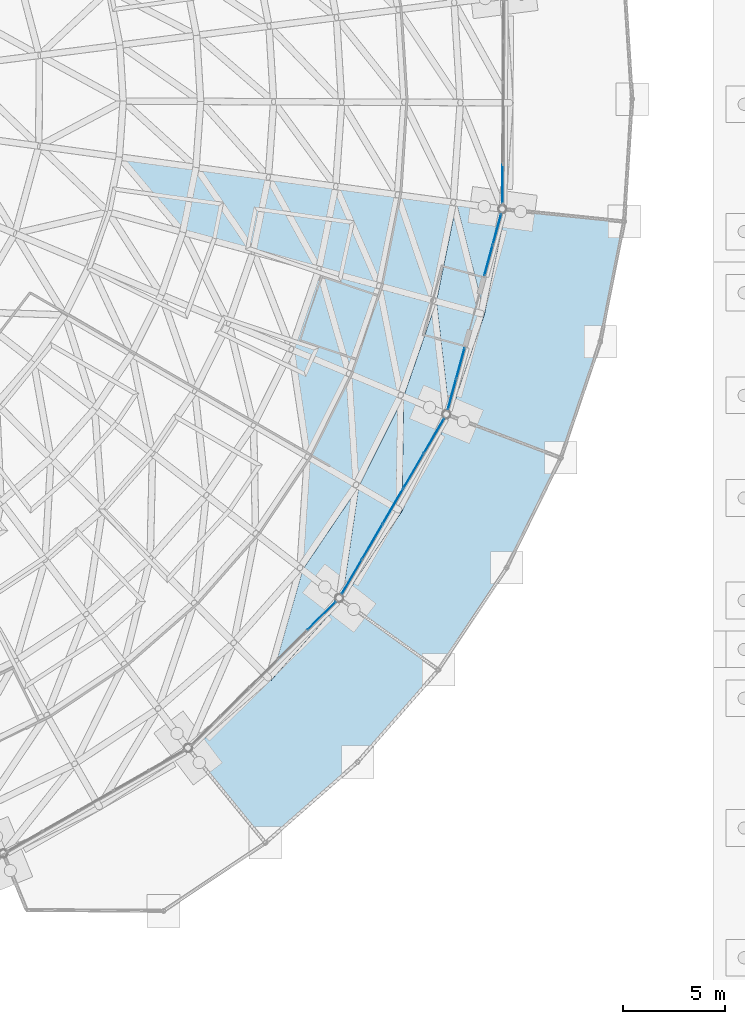
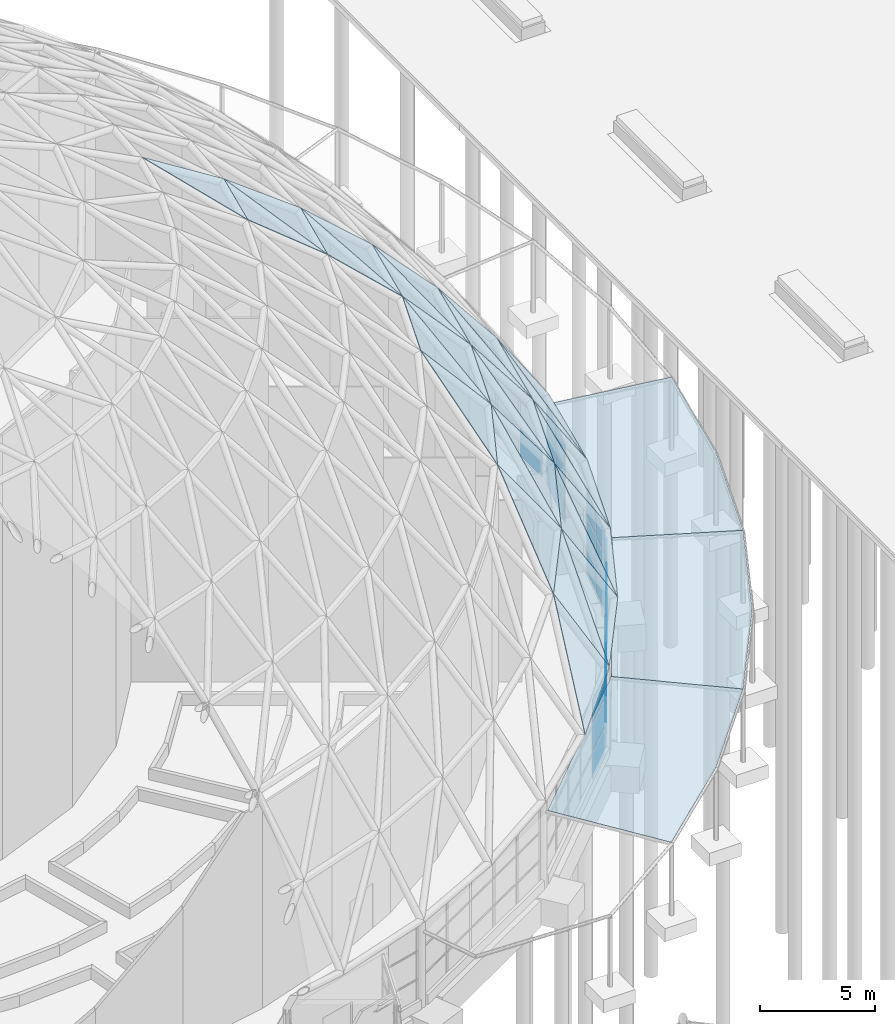
# One storey, part 149 of 226: 60 plates, 5 elements without a shape of their own.
"""IFC4 building model written with IfcOpenShell, lengths in metres."""

from ifc_helpers import new_model, si_unit, direction, frame, origin, origin_2d, place, context, subcontext, project, spatial, polyline, rectangle, outline, extrude, material, layer, layer_set, type_object, element, aggregate, save


model = new_model("IFC4")

# Units and contexts
model_context = context("Model", 3, precision=1e-05, world=origin(), true_north=direction((0.0, 1.0)))
body_context = subcontext(model_context, "Body", "Model", "MODEL_VIEW")
ifc_project = project(units=[si_unit("LENGTHUNIT", "METRE"), si_unit("AREAUNIT", "SQUARE_METRE"), si_unit("VOLUMEUNIT", "CUBIC_METRE"), si_unit("PLANEANGLEUNIT", "RADIAN"), si_unit("MASSUNIT", "GRAM", prefix="KILO")], contexts=[model_context])

# Site, building, storey
site_placement = place(None, origin())
site = spatial("IfcSite", under=ifc_project, at=site_placement, CompositionType="ELEMENT")
building_placement = place(site_placement, origin())
building = spatial("IfcBuilding", under=site, at=building_placement, Name="Ceibo Conservatory and Research Tower", CompositionType="ELEMENT")
storey_placement = place(building_placement, origin())
storey = spatial("IfcBuildingStorey", under=building, at=storey_placement, Name="L00", CompositionType="ELEMENT", Elevation=0.0)

# Plates
ifc_material_1 = material(Name="Laminated glass", Category="glass")
ifc_layer_1 = layer(ifc_material_1, 0.02490234375)
ifc_layer_set_1 = layer_set([ifc_layer_1], Name="Laminated glass")
plate_type_1 = type_object("IfcPlateType", Name="Canopy glass 25", PredefinedType="SHEET", material=ifc_layer_set_1)
plate_1_placement = place(storey_placement, frame((180.363037109375, 75.9609375, 4.07275390625), z_axis=(-0.032271892088, 0.032399473251, -0.998953852345), x_axis=(0.710186803858, 0.70401327518, -0.000109527201)))
element("IfcPlate", 1, at=plate_1_placement, inside=storey, type_object=plate_type_1, Name="Brim canopy plate A-CP21", PredefinedType="SHEET", context=body_context, shape_type="SweptSolid", body=[
    extrude(outline(polyline([(0.0, 0.0), (10.507265108545, -8.881784197001252e-16), (11.456869378744157, 5.68002471924514), (5.454453826027041, 6.100185760390339), (-0.5514018001971586, 5.73245075922043), (0.0, 0.0)])), origin(), (0.0, 0.0, 1.0), 0.02490234375),
])
plate_2_placement = place(storey_placement, frame((187.8251953125, 83.358154296875, 4.07275390625), z_axis=(-0.039557289072, 0.022943225657, -0.998953867442), x_axis=(0.503777138761, 0.863833654457, -0.000109041513)))
element("IfcPlate", 2, at=plate_2_placement, inside=storey, type_object=plate_type_1, Name="Brim canopy plate A-CP22", PredefinedType="SHEET", context=body_context, shape_type="SweptSolid", body=[
    extrude(outline(polyline([(0.0, 0.0), (10.507447150390865, 0.0), (11.456959538373571, 5.680215491744989), (5.454555663149371, 6.100204084039771), (-0.551281012387795, 5.73240976388129), (0.0, 0.0)])), origin(), (0.0, 0.0, 1.0), 0.02490234375),
])
plate_3_placement = place(storey_placement, frame((193.11865234375, 92.434814453125, 4.07275390625), z_axis=(-0.044147259202, 0.011921968833, -0.998953895915), x_axis=(0.263016237411, 0.964791400719, -0.000109347386)))
element("IfcPlate", 3, at=plate_3_placement, inside=storey, type_object=plate_type_1, Name="Brim canopy plate A-CP23", PredefinedType="SHEET", context=body_context, shape_type="SweptSolid", body=[
    extrude(outline(polyline([(0.0, 0.0), (10.507416293834746, 0.0), (11.45686048954623, 5.6802171305592255), (5.454302588318131, 6.100287569953914), (-0.551538177885894, 5.732558834785007), (0.0, 0.0)])), origin(), (0.0, 0.0, 1.0), 0.02490234375),
])

# Curtain wall, plates
ifc_material_2 = material(Name="Aluminium and glass", Category="aluminium")
curtain_wall_type = type_object("IfcCurtainWallType", Name="Drum curtain wall", PredefinedType="NOTDEFINED", material=ifc_material_2)
curtain_wall_1_placement = place(storey_placement, origin())
curtain_wall_1 = element("IfcCurtainWall", 4, at=curtain_wall_1_placement, inside=storey, type_object=curtain_wall_type, Name="Drum curtain wall A-CW21", PredefinedType="NOTDEFINED")
ifc_layer_2 = layer(ifc_material_1, 0.028076171875)
ifc_layer_set_2 = layer_set([ifc_layer_2], Name="Laminated glass")
plate_type_2 = type_object("IfcPlateType", Name="Drum glass 28", PredefinedType="CURTAIN_PANEL", material=ifc_layer_set_2)
plate_4_placement = place(storey_placement, frame((186.760009765625, 82.651123046875, 0.06005859375), z_axis=(0.0, 0.0, 1.0), x_axis=(0.71018535052, 0.704014749779, 0.0)))
plate_4 = element("IfcPlate", 5, at=plate_4_placement, type_object=plate_type_2, Name="A-CW21 panel 5.1", PredefinedType="CURTAIN_PANEL", context=body_context, shape_type="SweptSolid", body=[
    extrude(rectangle(XDim=1.917236328125, YDim=0.028076171875, at=origin_2d()), origin(), (0.0, 0.0, 1.0), 1.43994140625),
])
plate_5_placement = place(storey_placement, frame((186.760009765625, 82.651123046875, 1.56005859375), z_axis=(0.0, 0.0, 1.0), x_axis=(0.71018535052, 0.704014749779, 0.0)))
plate_5 = element("IfcPlate", 6, at=plate_5_placement, type_object=plate_type_2, Name="A-CW21 panel 5.2", PredefinedType="CURTAIN_PANEL", context=body_context, shape_type="SweptSolid", body=[
    extrude(rectangle(XDim=1.917236328125, YDim=0.028076171875, at=origin_2d()), origin(), (0.0, 0.0, 1.0), 1.425048828125),
])
plate_6_placement = place(storey_placement, frame((186.760009765625, 82.651123046875, 3.044921875), z_axis=(0.0, 0.0, 1.0), x_axis=(0.71018535052, 0.704014749779, 0.0)))
plate_6 = element("IfcPlate", 7, at=plate_6_placement, type_object=plate_type_2, Name="A-CW21 panel 5.3", PredefinedType="CURTAIN_PANEL", context=body_context, shape_type="SweptSolid", body=[
    extrude(rectangle(XDim=1.917236328125, YDim=0.028076171875, at=origin_2d()), origin(), (0.0, 0.0, 1.0), 1.233154296875),
])
aggregate(curtain_wall_1, [plate_4, plate_5, plate_6])

curtain_wall_2_placement = place(storey_placement, origin())
curtain_wall_2 = element("IfcCurtainWall", 8, at=curtain_wall_2_placement, inside=storey, type_object=curtain_wall_type, Name="Drum curtain wall A-CW22", PredefinedType="NOTDEFINED")
plate_7_placement = place(storey_placement, frame((188.2431640625, 84.566650390625, 0.06005859375), z_axis=(0.0, 0.0, 1.0), x_axis=(0.503773971965, 0.863835508167, 0.0)))
plate_7 = element("IfcPlate", 9, at=plate_7_placement, type_object=plate_type_2, Name="A-CW22 panel 1.1", PredefinedType="CURTAIN_PANEL", context=body_context, shape_type="SweptSolid", body=[
    extrude(rectangle(XDim=1.917236328125, YDim=0.028076171875, at=origin_2d()), origin(), (0.0, 0.0, 1.0), 1.43994140625),
])
plate_8_placement = place(storey_placement, frame((188.2431640625, 84.566650390625, 1.56005859375), z_axis=(0.0, 0.0, 1.0), x_axis=(0.503773971965, 0.863835508167, 0.0)))
plate_8 = element("IfcPlate", 10, at=plate_8_placement, type_object=plate_type_2, Name="A-CW22 panel 1.2", PredefinedType="CURTAIN_PANEL", context=body_context, shape_type="SweptSolid", body=[
    extrude(rectangle(XDim=1.917236328125, YDim=0.028076171875, at=origin_2d()), origin(), (0.0, 0.0, 1.0), 1.425048828125),
])
plate_9_placement = place(storey_placement, frame((188.2431640625, 84.566650390625, 3.044921875), z_axis=(0.0, 0.0, 1.0), x_axis=(0.503773971965, 0.863835508167, 0.0)))
plate_9 = element("IfcPlate", 11, at=plate_9_placement, type_object=plate_type_2, Name="A-CW22 panel 1.3", PredefinedType="CURTAIN_PANEL", context=body_context, shape_type="SweptSolid", body=[
    extrude(rectangle(XDim=1.917236328125, YDim=0.028076171875, at=origin_2d()), origin(), (0.0, 0.0, 1.0), 1.233154296875),
])
plate_10_placement = place(storey_placement, frame((189.24658203125, 86.28759765625, 0.06005859375), z_axis=(0.0, 0.0, 1.0), x_axis=(0.503773971965, 0.863835508167, 0.0)))
plate_10 = element("IfcPlate", 12, at=plate_10_placement, type_object=plate_type_2, Name="A-CW22 panel 2.1", PredefinedType="CURTAIN_PANEL", context=body_context, shape_type="SweptSolid", body=[
    extrude(rectangle(XDim=1.947021484375, YDim=0.028076171875, at=origin_2d()), origin(), (0.0, 0.0, 1.0), 1.43994140625),
])
plate_11_placement = place(storey_placement, frame((189.24658203125, 86.28759765625, 1.56005859375), z_axis=(0.0, 0.0, 1.0), x_axis=(0.503773971965, 0.863835508167, 0.0)))
plate_11 = element("IfcPlate", 13, at=plate_11_placement, type_object=plate_type_2, Name="A-CW22 panel 2.2", PredefinedType="CURTAIN_PANEL", context=body_context, shape_type="SweptSolid", body=[
    extrude(rectangle(XDim=1.947021484375, YDim=0.028076171875, at=origin_2d()), origin(), (0.0, 0.0, 1.0), 1.425048828125),
])
plate_12_placement = place(storey_placement, frame((189.24658203125, 86.28759765625, 3.044921875), z_axis=(0.0, 0.0, 1.0), x_axis=(0.503773971965, 0.863835508167, 0.0)))
plate_12 = element("IfcPlate", 14, at=plate_12_placement, type_object=plate_type_2, Name="A-CW22 panel 2.3", PredefinedType="CURTAIN_PANEL", context=body_context, shape_type="SweptSolid", body=[
    extrude(rectangle(XDim=1.947021484375, YDim=0.028076171875, at=origin_2d()), origin(), (0.0, 0.0, 1.0), 1.233154296875),
])
plate_13_placement = place(storey_placement, frame((190.2578125, 88.021484375, 0.06005859375), z_axis=(0.0, 0.0, 1.0), x_axis=(0.503773971965, 0.863835508167, 0.0)))
plate_13 = element("IfcPlate", 15, at=plate_13_placement, type_object=plate_type_2, Name="A-CW22 panel 3.1", PredefinedType="CURTAIN_PANEL", context=body_context, shape_type="SweptSolid", body=[
    extrude(rectangle(XDim=1.947021484375, YDim=0.028076171875, at=origin_2d()), origin(), (0.0, 0.0, 1.0), 1.43994140625),
])
plate_14_placement = place(storey_placement, frame((190.2578125, 88.021484375, 1.56005859375), z_axis=(0.0, 0.0, 1.0), x_axis=(0.503773971965, 0.863835508167, 0.0)))
plate_14 = element("IfcPlate", 16, at=plate_14_placement, type_object=plate_type_2, Name="A-CW22 panel 3.2", PredefinedType="CURTAIN_PANEL", context=body_context, shape_type="SweptSolid", body=[
    extrude(rectangle(XDim=1.947021484375, YDim=0.028076171875, at=origin_2d()), origin(), (0.0, 0.0, 1.0), 1.425048828125),
])
plate_15_placement = place(storey_placement, frame((190.2578125, 88.021484375, 3.044921875), z_axis=(0.0, 0.0, 1.0), x_axis=(0.503773971965, 0.863835508167, 0.0)))
plate_15 = element("IfcPlate", 17, at=plate_15_placement, type_object=plate_type_2, Name="A-CW22 panel 3.3", PredefinedType="CURTAIN_PANEL", context=body_context, shape_type="SweptSolid", body=[
    extrude(rectangle(XDim=1.947021484375, YDim=0.028076171875, at=origin_2d()), origin(), (0.0, 0.0, 1.0), 1.233154296875),
])
plate_16_placement = place(storey_placement, frame((191.26904296875, 89.75537109375, 0.06005859375), z_axis=(0.0, 0.0, 1.0), x_axis=(0.503773971965, 0.863835508167, 0.0)))
plate_16 = element("IfcPlate", 18, at=plate_16_placement, type_object=plate_type_2, Name="A-CW22 panel 4.1", PredefinedType="CURTAIN_PANEL", context=body_context, shape_type="SweptSolid", body=[
    extrude(rectangle(XDim=1.947021484375, YDim=0.028076171875, at=origin_2d()), origin(), (0.0, 0.0, 1.0), 1.43994140625),
])
plate_17_placement = place(storey_placement, frame((191.26904296875, 89.75537109375, 1.56005859375), z_axis=(0.0, 0.0, 1.0), x_axis=(0.503773971965, 0.863835508167, 0.0)))
plate_17 = element("IfcPlate", 19, at=plate_17_placement, type_object=plate_type_2, Name="A-CW22 panel 4.2", PredefinedType="CURTAIN_PANEL", context=body_context, shape_type="SweptSolid", body=[
    extrude(rectangle(XDim=1.947021484375, YDim=0.028076171875, at=origin_2d()), origin(), (0.0, 0.0, 1.0), 1.425048828125),
])
plate_18_placement = place(storey_placement, frame((191.26904296875, 89.75537109375, 3.044921875), z_axis=(0.0, 0.0, 1.0), x_axis=(0.503773971965, 0.863835508167, 0.0)))
plate_18 = element("IfcPlate", 20, at=plate_18_placement, type_object=plate_type_2, Name="A-CW22 panel 4.3", PredefinedType="CURTAIN_PANEL", context=body_context, shape_type="SweptSolid", body=[
    extrude(rectangle(XDim=1.947021484375, YDim=0.028076171875, at=origin_2d()), origin(), (0.0, 0.0, 1.0), 1.233154296875),
])
plate_19_placement = place(storey_placement, frame((192.2724609375, 91.47607421875, 0.06005859375), z_axis=(0.0, 0.0, 1.0), x_axis=(0.503773971965, 0.863835508167, 0.0)))
plate_19 = element("IfcPlate", 21, at=plate_19_placement, type_object=plate_type_2, Name="A-CW22 panel 5.1", PredefinedType="CURTAIN_PANEL", context=body_context, shape_type="SweptSolid", body=[
    extrude(rectangle(XDim=1.917236328125, YDim=0.028076171875, at=origin_2d()), origin(), (0.0, 0.0, 1.0), 1.43994140625),
])
plate_20_placement = place(storey_placement, frame((192.2724609375, 91.47607421875, 1.56005859375), z_axis=(0.0, 0.0, 1.0), x_axis=(0.503773971965, 0.863835508167, 0.0)))
plate_20 = element("IfcPlate", 22, at=plate_20_placement, type_object=plate_type_2, Name="A-CW22 panel 5.2", PredefinedType="CURTAIN_PANEL", context=body_context, shape_type="SweptSolid", body=[
    extrude(rectangle(XDim=1.917236328125, YDim=0.028076171875, at=origin_2d()), origin(), (0.0, 0.0, 1.0), 1.425048828125),
])
plate_21_placement = place(storey_placement, frame((192.2724609375, 91.47607421875, 3.044921875), z_axis=(0.0, 0.0, 1.0), x_axis=(0.503773971965, 0.863835508167, 0.0)))
plate_21 = element("IfcPlate", 23, at=plate_21_placement, type_object=plate_type_2, Name="A-CW22 panel 5.3", PredefinedType="CURTAIN_PANEL", context=body_context, shape_type="SweptSolid", body=[
    extrude(rectangle(XDim=1.917236328125, YDim=0.028076171875, at=origin_2d()), origin(), (0.0, 0.0, 1.0), 1.233154296875),
])
aggregate(curtain_wall_2, [plate_7, plate_8, plate_9, plate_10, plate_11, plate_12, plate_13, plate_14, plate_15, plate_16, plate_17, plate_18, plate_19, plate_20, plate_21])

curtain_wall_3_placement = place(storey_placement, origin())
curtain_wall_3 = element("IfcCurtainWall", 24, at=curtain_wall_3_placement, inside=storey, type_object=curtain_wall_type, Name="Drum curtain wall A-CW23W", PredefinedType="NOTDEFINED")
plate_22_placement = place(storey_placement, frame((193.156982421875, 93.518310546875, 0.06005859375), z_axis=(0.0, 0.0, 1.0), x_axis=(0.263031218095, 0.964787322837, 0.0)))
plate_22 = element("IfcPlate", 25, at=plate_22_placement, type_object=plate_type_2, Name="A-CW23W panel 1.1", PredefinedType="CURTAIN_PANEL", context=body_context, shape_type="SweptSolid", body=[
    extrude(rectangle(XDim=1.51904296875, YDim=0.028076171875, at=origin_2d()), origin(), (0.0, 0.0, 1.0), 1.43994140625),
])
plate_23_placement = place(storey_placement, frame((193.156982421875, 93.518310546875, 1.56005859375), z_axis=(0.0, 0.0, 1.0), x_axis=(0.263031218095, 0.964787322837, 0.0)))
plate_23 = element("IfcPlate", 26, at=plate_23_placement, type_object=plate_type_2, Name="A-CW23W panel 1.2", PredefinedType="CURTAIN_PANEL", context=body_context, shape_type="SweptSolid", body=[
    extrude(rectangle(XDim=1.51904296875, YDim=0.028076171875, at=origin_2d()), origin(), (0.0, 0.0, 1.0), 1.425048828125),
])
plate_24_placement = place(storey_placement, frame((193.156982421875, 93.518310546875, 3.044921875), z_axis=(0.0, 0.0, 1.0), x_axis=(0.263031218095, 0.964787322837, 0.0)))
plate_24 = element("IfcPlate", 27, at=plate_24_placement, type_object=plate_type_2, Name="A-CW23W panel 1.3", PredefinedType="CURTAIN_PANEL", context=body_context, shape_type="SweptSolid", body=[
    extrude(rectangle(XDim=1.51904296875, YDim=0.028076171875, at=origin_2d()), origin(), (0.0, 0.0, 1.0), 1.233154296875),
])
plate_25_placement = place(storey_placement, frame((193.572265625, 95.04150390625, 0.06005859375), z_axis=(0.0, 0.0, 1.0), x_axis=(0.263031218095, 0.964787322837, 0.0)))
plate_25 = element("IfcPlate", 28, at=plate_25_placement, type_object=plate_type_2, Name="A-CW23W panel 2.1", PredefinedType="CURTAIN_PANEL", context=body_context, shape_type="SweptSolid", body=[
    extrude(rectangle(XDim=1.51904296875, YDim=0.028076171875, at=origin_2d()), origin(), (0.0, 0.0, 1.0), 1.43994140625),
])
plate_26_placement = place(storey_placement, frame((193.572265625, 95.04150390625, 1.56005859375), z_axis=(0.0, 0.0, 1.0), x_axis=(0.263031218095, 0.964787322837, 0.0)))
plate_26 = element("IfcPlate", 29, at=plate_26_placement, type_object=plate_type_2, Name="A-CW23W panel 2.2", PredefinedType="CURTAIN_PANEL", context=body_context, shape_type="SweptSolid", body=[
    extrude(rectangle(XDim=1.51904296875, YDim=0.028076171875, at=origin_2d()), origin(), (0.0, 0.0, 1.0), 1.425048828125),
])
plate_27_placement = place(storey_placement, frame((193.572265625, 95.04150390625, 3.044921875), z_axis=(0.0, 0.0, 1.0), x_axis=(0.263031218095, 0.964787322837, 0.0)))
plate_27 = element("IfcPlate", 30, at=plate_27_placement, type_object=plate_type_2, Name="A-CW23W panel 2.3", PredefinedType="CURTAIN_PANEL", context=body_context, shape_type="SweptSolid", body=[
    extrude(rectangle(XDim=1.51904296875, YDim=0.028076171875, at=origin_2d()), origin(), (0.0, 0.0, 1.0), 1.233154296875),
])
aggregate(curtain_wall_3, [plate_22, plate_23, plate_24, plate_25, plate_26, plate_27])

curtain_wall_4_placement = place(storey_placement, origin())
curtain_wall_4 = element("IfcCurtainWall", 31, at=curtain_wall_4_placement, inside=storey, type_object=curtain_wall_type, Name="Drum curtain wall A-CW23E", PredefinedType="NOTDEFINED")
plate_28_placement = place(storey_placement, frame((194.950439453125, 100.095947265625, 0.06005859375), z_axis=(0.0, 0.0, 1.0), x_axis=(0.263031218095, 0.964787322837, 0.0)))
plate_28 = element("IfcPlate", 32, at=plate_28_placement, type_object=plate_type_2, Name="A-CW23E panel 1.1", PredefinedType="CURTAIN_PANEL", context=body_context, shape_type="SweptSolid", body=[
    extrude(rectangle(XDim=1.51904296875, YDim=0.028076171875, at=origin_2d()), origin(), (0.0, 0.0, 1.0), 1.43994140625),
])
plate_29_placement = place(storey_placement, frame((194.950439453125, 100.095947265625, 1.56005859375), z_axis=(0.0, 0.0, 1.0), x_axis=(0.263031218095, 0.964787322837, 0.0)))
plate_29 = element("IfcPlate", 33, at=plate_29_placement, type_object=plate_type_2, Name="A-CW23E panel 1.2", PredefinedType="CURTAIN_PANEL", context=body_context, shape_type="SweptSolid", body=[
    extrude(rectangle(XDim=1.51904296875, YDim=0.028076171875, at=origin_2d()), origin(), (0.0, 0.0, 1.0), 1.425048828125),
])
plate_30_placement = place(storey_placement, frame((194.950439453125, 100.095947265625, 3.044921875), z_axis=(0.0, 0.0, 1.0), x_axis=(0.263031218095, 0.964787322837, 0.0)))
plate_30 = element("IfcPlate", 34, at=plate_30_placement, type_object=plate_type_2, Name="A-CW23E panel 1.3", PredefinedType="CURTAIN_PANEL", context=body_context, shape_type="SweptSolid", body=[
    extrude(rectangle(XDim=1.51904296875, YDim=0.028076171875, at=origin_2d()), origin(), (0.0, 0.0, 1.0), 1.233154296875),
])
plate_31_placement = place(storey_placement, frame((195.36572265625, 101.619384765625, 0.06005859375), z_axis=(0.0, 0.0, 1.0), x_axis=(0.263031218095, 0.964787322837, 0.0)))
plate_31 = element("IfcPlate", 35, at=plate_31_placement, type_object=plate_type_2, Name="A-CW23E panel 2.1", PredefinedType="CURTAIN_PANEL", context=body_context, shape_type="SweptSolid", body=[
    extrude(rectangle(XDim=1.51904296875, YDim=0.028076171875, at=origin_2d()), origin(), (0.0, 0.0, 1.0), 1.43994140625),
])
plate_32_placement = place(storey_placement, frame((195.36572265625, 101.619384765625, 1.56005859375), z_axis=(0.0, 0.0, 1.0), x_axis=(0.263031218095, 0.964787322837, 0.0)))
plate_32 = element("IfcPlate", 36, at=plate_32_placement, type_object=plate_type_2, Name="A-CW23E panel 2.2", PredefinedType="CURTAIN_PANEL", context=body_context, shape_type="SweptSolid", body=[
    extrude(rectangle(XDim=1.51904296875, YDim=0.028076171875, at=origin_2d()), origin(), (0.0, 0.0, 1.0), 1.425048828125),
])
plate_33_placement = place(storey_placement, frame((195.36572265625, 101.619384765625, 3.044921875), z_axis=(0.0, 0.0, 1.0), x_axis=(0.263031218095, 0.964787322837, 0.0)))
plate_33 = element("IfcPlate", 37, at=plate_33_placement, type_object=plate_type_2, Name="A-CW23E panel 2.3", PredefinedType="CURTAIN_PANEL", context=body_context, shape_type="SweptSolid", body=[
    extrude(rectangle(XDim=1.51904296875, YDim=0.028076171875, at=origin_2d()), origin(), (0.0, 0.0, 1.0), 1.233154296875),
])
aggregate(curtain_wall_4, [plate_28, plate_29, plate_30, plate_31, plate_32, plate_33])

# Curtain wall, plate
curtain_wall_5_placement = place(storey_placement, origin())
curtain_wall_5 = element("IfcCurtainWall", 38, at=curtain_wall_5_placement, inside=storey, type_object=curtain_wall_type, Name="Drum curtain wall A-CW24", PredefinedType="NOTDEFINED")
plate_34_placement = place(storey_placement, frame((195.639892578125, 103.82763671875, 0.06005859375), z_axis=(0.0, 0.0, 1.0), x_axis=(0.004363300488, 0.999990480759, 0.0)))
plate_34 = element("IfcPlate", 39, at=plate_34_placement, type_object=plate_type_2, Name="A-CW24 panel 1.1", PredefinedType="CURTAIN_PANEL", context=body_context, shape_type="SweptSolid", body=[
    extrude(rectangle(XDim=1.917236328125, YDim=0.028076171875, at=origin_2d()), origin(), (0.0, 0.0, 1.0), 1.43994140625),
])
aggregate(curtain_wall_5, [plate_34])

# Plates
ifc_layer_3 = layer(ifc_material_1, 0.035888671875)
ifc_layer_set_3 = layer_set([ifc_layer_3], Name="Laminated glass")
plate_type_3 = type_object("IfcPlateType", Name="Gridshell roof glass 36", PredefinedType="SHEET", material=ifc_layer_set_3)
plate_35_placement = place(storey_placement, frame((184.27880859375, 79.47412109375, 4.601806640625), z_axis=(0.621519302072, -0.550014692327, 0.557850871987), x_axis=(0.662715248583, 0.748871483831, 0.0)))
element("IfcPlate", 40, at=plate_35_placement, inside=storey, type_object=plate_type_3, Name="Glass panel A-P01-083", PredefinedType="SHEET", context=body_context, shape_type="SweptSolid", body=[
    extrude(outline(polyline([(0.0, 0.0), (5.253673369624577, -2.220446049250313e-16), (5.093223811778246, 4.375133432903766), (0.0, 0.0)])), origin(), (0.0, 0.0, -1.0), 0.035888671875),
])
plate_36_placement = place(storey_placement, frame((187.760498046875, 83.408447265625, 4.601806640625), z_axis=(0.68820271727, -0.464034461216, 0.557717705247), x_axis=(0.559056986428, 0.829129233549, 0.0)))
element("IfcPlate", 41, at=plate_36_placement, inside=storey, type_object=plate_type_3, Name="Glass panel A-P01-085", PredefinedType="SHEET", context=body_context, shape_type="SweptSolid", body=[
    extrude(outline(polyline([(0.0, 0.0), (5.253947147933437, 0.0), (5.094956012465321, 4.374661708386486), (0.0, 0.0)])), origin(), (0.0, 0.0, -1.0), 0.035888671875),
])
plate_37_placement = place(storey_placement, frame((187.760498046875, 83.408447265625, 4.601806640625), z_axis=(0.688043618421, -0.464101988364, 0.55785779868), x_axis=(0.122917876087, 0.83217692506, 0.540715046152)))
element("IfcPlate", 42, at=plate_37_placement, inside=storey, type_object=plate_type_3, Name="Glass panel A-P01-086", PredefinedType="SHEET", context=body_context, shape_type="SweptSolid", body=[
    extrude(outline(polyline([(0.0, 0.0), (6.715373543726326, 4.440892098500626e-16), (2.971689587025395, 3.2150579488852484), (0.0, 0.0)])), origin(), (0.0, 0.0, -1.0), 0.035888671875),
])
plate_38_placement = place(storey_placement, frame((190.69775390625, 87.7646484375, 4.601806640625), z_axis=(0.742802977442, -0.370360284257, 0.557742769158), x_axis=(0.446209760188, 0.894928404909, 0.0)))
element("IfcPlate", 43, at=plate_38_placement, inside=storey, type_object=plate_type_3, Name="Glass panel A-P01-087", PredefinedType="SHEET", context=body_context, shape_type="SweptSolid", body=[
    extrude(outline(polyline([(0.0, 0.0), (5.254763054736992, 0.0), (5.0939444908646445, 4.374750473519363), (0.0, 0.0)])), origin(), (0.0, 0.0, -1.0), 0.035888671875),
])
plate_39_placement = place(storey_placement, frame((190.69775390625, 87.7646484375, 4.601806640625), z_axis=(0.742846401321, -0.370334705795, 0.557701918347), x_axis=(0.013307511619, 0.841063821774, 0.540772186635)))
element("IfcPlate", 44, at=plate_39_placement, inside=storey, type_object=plate_type_3, Name="Glass panel A-P01-088", PredefinedType="SHEET", context=body_context, shape_type="SweptSolid", body=[
    extrude(outline(polyline([(0.0, 0.0), (6.714663966392372, 4.440892098500626e-16), (2.971836881057083, 3.2142073356224734), (0.0, 0.0)])), origin(), (0.0, 0.0, -1.0), 0.035888671875),
])
plate_40_placement = place(storey_placement, frame((193.04248046875, 92.46728515625, 4.601806640625), z_axis=(0.784884324718, -0.270165608921, 0.557644277804), x_axis=(0.325469350574, 0.94555259073, 0.0)))
element("IfcPlate", 45, at=plate_40_placement, inside=storey, type_object=plate_type_3, Name="Glass panel A-P01-089", PredefinedType="SHEET", context=body_context, shape_type="SweptSolid", body=[
    extrude(outline(polyline([(0.0, 0.0), (5.253830919824738, -2.220446049250313e-16), (5.093756462527101, 4.374401715363801), (0.0, 0.0)])), origin(), (0.0, 0.0, -1.0), 0.035888671875),
])
plate_41_placement = place(storey_placement, frame((193.04248046875, 92.46728515625, 4.601806640625), z_axis=(0.784770025573, -0.270254920895, 0.557761853029), x_axis=(-0.096612038574, 0.835583231624, 0.540801975802)))
element("IfcPlate", 46, at=plate_41_placement, inside=storey, type_object=plate_type_3, Name="Glass panel A-P01-090", PredefinedType="SHEET", context=body_context, shape_type="SweptSolid", body=[
    extrude(outline(polyline([(0.0, 0.0), (6.714294100418478, 0.0), (2.9710832287201656, 3.215115668846396), (0.0, 0.0)])), origin(), (0.0, 0.0, -1.0), 0.035888671875),
])
plate_42_placement = place(storey_placement, frame((194.75244140625, 97.43505859375, 4.601806640625), z_axis=(0.813306753153, -0.165646457928, 0.557757452887), x_axis=(0.199573086255, 0.979882943643, 0.0)))
element("IfcPlate", 47, at=plate_42_placement, inside=storey, type_object=plate_type_3, Name="Glass panel A-P01-091", PredefinedType="SHEET", context=body_context, shape_type="SweptSolid", body=[
    extrude(outline(polyline([(0.0, 0.0), (5.254135234621774, 1.1102230246251565e-16), (5.093270783912031, 4.374802481067212), (0.0, 0.0)])), origin(), (0.0, 0.0, -1.0), 0.035888671875),
])
plate_43_placement = place(storey_placement, frame((194.75244140625, 97.43505859375, 4.601806640625), z_axis=(0.8133972624, -0.165554373377, 0.557652797874), x_axis=(-0.204717527999, 0.815852073838, 0.540810620591)))
element("IfcPlate", 48, at=plate_43_placement, inside=storey, type_object=plate_type_3, Name="Glass panel A-P01-092", PredefinedType="SHEET", context=body_context, shape_type="SweptSolid", body=[
    extrude(outline(polyline([(0.0, 0.0), (6.714186773288608, 0.0), (2.97084351962559, 3.2148254977767503), (0.0, 0.0)])), origin(), (0.0, 0.0, -1.0), 0.035888671875),
])
plate_44_placement = place(storey_placement, frame((185.826416015625, 84.90576171875, 8.23291015625), z_axis=(0.642202144177, -0.433180810147, 0.632400815728), x_axis=(0.559201770975, 0.829031591279, 0.0)))
element("IfcPlate", 49, at=plate_44_placement, inside=storey, type_object=plate_type_3, Name="Glass panel A-P02-085", PredefinedType="SHEET", context=body_context, shape_type="SweptSolid", body=[
    extrude(outline(polyline([(0.0, 0.0), (4.934750974704819, 0.0), (4.753120369519789, 4.372613297180889), (0.0, 0.0)])), origin(), (0.0, 0.0, -1.0), 0.035888671875),
])
plate_45_placement = place(storey_placement, frame((188.5859375, 88.996826171875, 8.23291015625), z_axis=(0.693219451542, -0.345593949411, 0.632464713746), x_axis=(0.446164188403, 0.894951125474, 0.0)))
element("IfcPlate", 50, at=plate_45_placement, inside=storey, type_object=plate_type_3, Name="Glass panel A-P02-087", PredefinedType="SHEET", context=body_context, shape_type="SweptSolid", body=[
    extrude(outline(polyline([(0.0, 0.0), (4.933546735066851, 0.0), (4.753144774618089, 4.372907797213506), (0.0, 0.0)])), origin(), (0.0, 0.0, -1.0), 0.035888671875),
])
plate_46_placement = place(storey_placement, frame((188.5859375, 88.996826171875, 8.23291015625), z_axis=(0.693295675736, -0.345551701873, 0.632404243612), x_axis=(-0.05488606116, 0.849675539093, 0.524441606432)))
element("IfcPlate", 51, at=plate_46_placement, inside=storey, type_object=plate_type_3, Name="Glass panel A-P02-088", PredefinedType="SHEET", context=body_context, shape_type="SweptSolid", body=[
    extrude(outline(polyline([(0.0, 0.0), (6.458692425825054, 8.881784197001252e-16), (3.0937281788018547, 3.0954131677548906), (0.0, 0.0)])), origin(), (0.0, 0.0, -1.0), 0.035888671875),
])
plate_47_placement = place(storey_placement, frame((190.787109375, 93.412109375, 8.23291015625), z_axis=(0.732352547598, -0.25220366906, 0.632497474571), x_axis=(0.325607933059, 0.945504877792, 0.0)))
element("IfcPlate", 52, at=plate_47_placement, inside=storey, type_object=plate_type_3, Name="Glass panel A-P02-089", PredefinedType="SHEET", context=body_context, shape_type="SweptSolid", body=[
    extrude(outline(polyline([(0.0, 0.0), (4.934429692888738, -1.1102230246251565e-16), (4.752927804793788, 4.373058823436186), (0.0, 0.0)])), origin(), (0.0, 0.0, -1.0), 0.035888671875),
])
plate_48_placement = place(storey_placement, frame((190.787109375, 93.412109375, 8.23291015625), z_axis=(0.732408446598, -0.252162316105, 0.632449234081), x_axis=(-0.165302258371, 0.835243242845, 0.524446268611)))
element("IfcPlate", 53, at=plate_48_placement, inside=storey, type_object=plate_type_3, Name="Glass panel A-P02-090", PredefinedType="SHEET", context=body_context, shape_type="SweptSolid", body=[
    extrude(outline(polyline([(0.0, 0.0), (6.458635009877472, 0.0), (3.0946716643430197, 3.094814172155873), (0.0, 0.0)])), origin(), (0.0, 0.0, -1.0), 0.035888671875),
])
plate_49_placement = place(storey_placement, frame((192.393798828125, 98.07763671875, 8.23291015625), z_axis=(0.758984606559, -0.154479522799, 0.632517544454), x_axis=(0.199445244546, 0.979908972521, 0.0)))
element("IfcPlate", 54, at=plate_49_placement, inside=storey, type_object=plate_type_3, Name="Glass panel A-P02-091", PredefinedType="SHEET", context=body_context, shape_type="SweptSolid", body=[
    extrude(outline(polyline([(0.0, 0.0), (4.934341059949136, 1.1102230246251565e-16), (4.753535728578331, 4.373151356466386), (0.0, 0.0)])), origin(), (0.0, 0.0, -1.0), 0.035888671875),
])
plate_50_placement = place(storey_placement, frame((192.393798828125, 98.07763671875, 8.23291015625), z_axis=(0.759001165089, -0.154463540108, 0.632501577998), x_axis=(-0.272861370918, 0.806564454082, 0.524404856644)))
element("IfcPlate", 55, at=plate_50_placement, inside=storey, type_object=plate_type_3, Name="Glass panel A-P02-092", PredefinedType="SHEET", context=body_context, shape_type="SweptSolid", body=[
    extrude(outline(polyline([(0.0, 0.0), (6.459145044774464, 0.0), (3.093974096193284, 3.095789188672262), (0.0, 0.0)])), origin(), (0.0, 0.0, -1.0), 0.035888671875),
])
plate_51_placement = place(storey_placement, frame((186.19189453125, 90.392578125, 11.6201171875), z_axis=(0.637593518842, -0.317788691391, 0.701772650047), x_axis=(0.446081214125, 0.894992486228, 0.0)))
element("IfcPlate", 56, at=plate_51_placement, inside=storey, type_object=plate_type_3, Name="Glass panel A-P03-087", PredefinedType="SHEET", context=body_context, shape_type="SweptSolid", body=[
    extrude(outline(polyline([(0.0, 0.0), (4.572151251091194, 0.0), (4.371207409454124, 4.3725238291334065), (0.0, 0.0)])), origin(), (0.0, 0.0, -1.0), 0.035888671875),
])
plate_52_placement = place(storey_placement, frame((188.2314453125, 94.484619140625, 11.6201171875), z_axis=(0.673630407021, -0.23192551154, 0.701735442908), x_axis=(0.325537989165, 0.945528961804, 0.0)))
element("IfcPlate", 57, at=plate_52_placement, inside=storey, type_object=plate_type_3, Name="Glass panel A-P03-089", PredefinedType="SHEET", context=body_context, shape_type="SweptSolid", body=[
    extrude(outline(polyline([(0.0, 0.0), (4.5710090954051035, 1.1102230246251565e-16), (4.370604295605408, 4.3722988921511075), (0.0, 0.0)])), origin(), (0.0, 0.0, -1.0), 0.035888671875),
])
plate_53_placement = place(storey_placement, frame((188.2314453125, 94.484619140625, 11.6201171875), z_axis=(0.673576823102, -0.231964374119, 0.701774032378), x_axis=(-0.23911868837, 0.830024210101, 0.503867108987)))
element("IfcPlate", 58, at=plate_53_placement, inside=storey, type_object=plate_type_3, Name="Glass panel A-P03-090", PredefinedType="SHEET", context=body_context, shape_type="SweptSolid", body=[
    extrude(outline(polyline([(0.0, 0.0), (6.182166247446785, -4.440892098500626e-16), (3.234536384486591, 2.949087560799737), (0.0, 0.0)])), origin(), (0.0, 0.0, -1.0), 0.035888671875),
])
plate_54_placement = place(storey_placement, frame((189.719482421875, 98.806640625, 11.6201171875), z_axis=(0.698154069287, -0.142080610733, 0.701707913303), x_axis=(0.19942125265, 0.979913855393, 0.0)))
element("IfcPlate", 59, at=plate_54_placement, inside=storey, type_object=plate_type_3, Name="Glass panel A-P03-091", PredefinedType="SHEET", context=body_context, shape_type="SweptSolid", body=[
    extrude(outline(polyline([(0.0, 0.0), (4.572557950849264, 0.0), (4.370501352476871, 4.372132491034286), (0.0, 0.0)])), origin(), (0.0, 0.0, -1.0), 0.035888671875),
])
plate_55_placement = place(storey_placement, frame((189.719482421875, 98.806640625, 11.6201171875), z_axis=(0.698129251634, -0.142104119468, 0.701727844141), x_axis=(-0.345320929694, 0.791742223068, 0.503882632888)))
element("IfcPlate", 60, at=plate_55_placement, inside=storey, type_object=plate_type_3, Name="Glass panel A-P03-092", PredefinedType="SHEET", context=body_context, shape_type="SweptSolid", body=[
    extrude(outline(polyline([(0.0, 0.0), (6.181975783773326, 2.220446049250313e-16), (3.2346956245776015, 2.9485426743439005), (0.0, 0.0)])), origin(), (0.0, 0.0, -1.0), 0.035888671875),
])
plate_56_placement = place(storey_placement, frame((186.753173828125, 99.615966796875, 14.735107421875), z_axis=(0.631105080791, -0.128461358105, 0.764986311298), x_axis=(0.199459744694, 0.97990602113, 0.0)))
element("IfcPlate", 61, at=plate_56_placement, inside=storey, type_object=plate_type_3, Name="Glass panel A-P04-091", PredefinedType="SHEET", context=body_context, shape_type="SweptSolid", body=[
    extrude(outline(polyline([(0.0, 0.0), (4.16897640185404, 1.1102230246251565e-16), (3.9503910068015955, 4.371848400047367), (0.0, 0.0)])), origin(), (0.0, 0.0, -1.0), 0.035888671875),
])
plate_57_placement = place(storey_placement, frame((186.753173828125, 99.615966796875, 14.735107421875), z_axis=(0.631118219671, -0.128448740221, 0.764977590479), x_axis=(-0.422462806056, 0.770178367886, 0.477860292491)))
element("IfcPlate", 62, at=plate_57_placement, inside=storey, type_object=plate_type_3, Name="Glass panel A-P04-092", PredefinedType="SHEET", context=body_context, shape_type="SweptSolid", body=[
    extrude(outline(polyline([(0.0, 0.0), (5.892253180203277, -6.661338147750939e-16), (3.3906602591577535, 2.7683825945216305), (0.0, 0.0)])), origin(), (0.0, 0.0, -1.0), 0.035888671875),
])
plate_58_placement = place(storey_placement, frame((183.519775390625, 100.497802734375, 17.55078125), z_axis=(0.55859178634, -0.113687751386, 0.821614454241), x_axis=(0.199436945553, 0.979910661616, 0.0)))
element("IfcPlate", 63, at=plate_58_placement, inside=storey, type_object=plate_type_3, Name="Glass panel A-P05-091", PredefinedType="SHEET", context=body_context, shape_type="SweptSolid", body=[
    extrude(outline(polyline([(0.0, 0.0), (3.7312074898449956, 0.0), (3.4951544007870523, 4.370639622162836), (0.0, 0.0)])), origin(), (0.0, 0.0, -1.0), 0.035888671875),
])
plate_59_placement = place(storey_placement, frame((183.519775390625, 100.497802734375, 17.55078125), z_axis=(0.558688557011, -0.113590330853, 0.821562129727), x_axis=(-0.504221786555, 0.739973173866, 0.445196689029)))
element("IfcPlate", 64, at=plate_59_placement, inside=storey, type_object=plate_type_3, Name="Glass panel A-P05-092", PredefinedType="SHEET", context=body_context, shape_type="SweptSolid", body=[
    extrude(outline(polyline([(0.0, 0.0), (5.5963019032358154, 3.3306690738754696e-16), (3.5594281909466803, 2.5462174364592935), (0.0, 0.0)])), origin(), (0.0, 0.0, -1.0), 0.035888671875),
])
plate_60_placement = place(storey_placement, frame((180.04833984375, 101.443603515625, 20.042236328125), z_axis=(0.481128138103, -0.097821055585, 0.871175502301), x_axis=(0.19923968874, 0.97995078776, 0.0)))
element("IfcPlate", 65, at=plate_60_placement, inside=storey, type_object=plate_type_3, Name="Glass panel A-P06-091", PredefinedType="SHEET", context=body_context, shape_type="SweptSolid", body=[
    extrude(outline(polyline([(0.0, 0.0), (3.260686699691317, 0.0), (3.0112605617994657, 4.370418502422462), (0.0, 0.0)])), origin(), (0.0, 0.0, -1.0), 0.035888671875),
])

save(model, "model.ifc")
